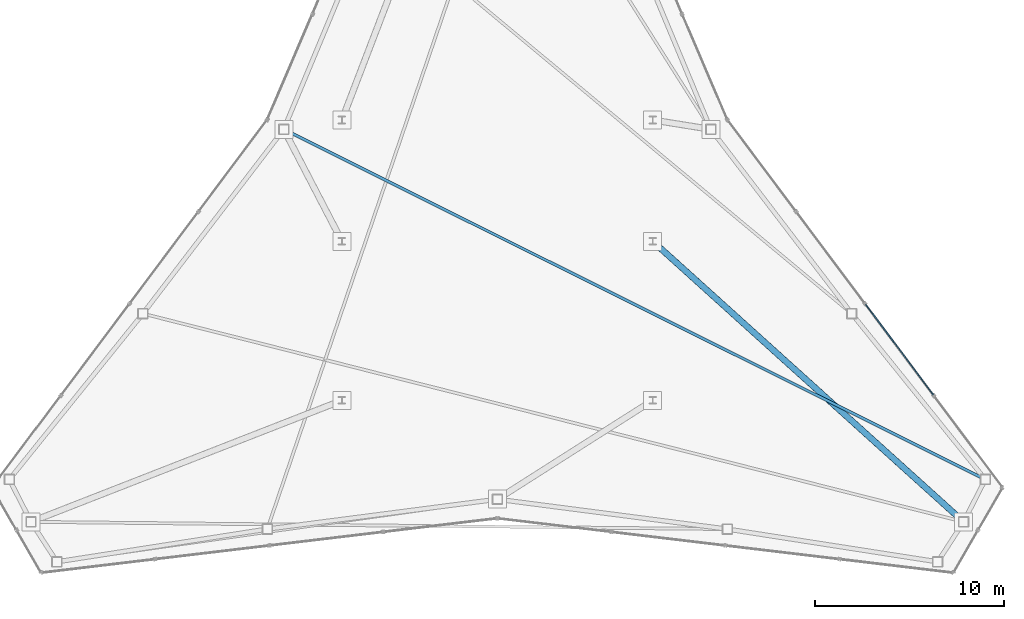
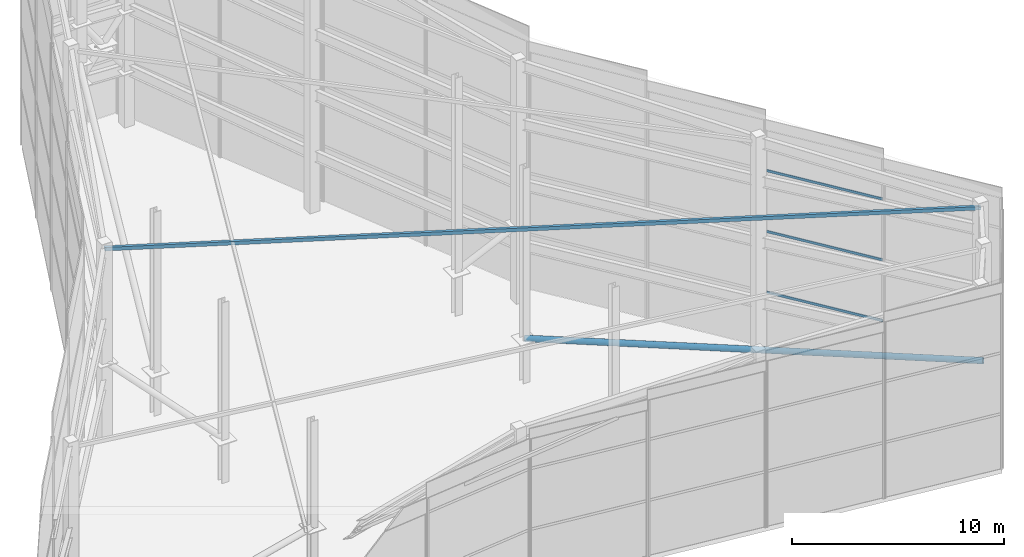
# One storey, part 10 of 17: 5 members, 1 element without a shape of its own.
"""IFC4 building model written with IfcOpenShell, lengths in metres."""

from ifc_helpers import new_model, si_unit, direction, frame, origin, origin_2d, place, context, subcontext, project, spatial, rectangle, hollow_rectangle, hollow_circle, extrude, source, transform, mapped, material, layer, layer_set, material_profile, profile_set, type_object, type_shapes, element, aggregate, save


model = new_model("IFC4")

# Units and contexts
model_context = context("Model", 3, precision=1e-05, world=origin(), true_north=direction((0.0, 1.0)))
body_context = subcontext(model_context, "Body", "Model", "MODEL_VIEW")
ifc_project = project(units=[si_unit("LENGTHUNIT", "METRE"), si_unit("AREAUNIT", "SQUARE_METRE"), si_unit("VOLUMEUNIT", "CUBIC_METRE"), si_unit("PLANEANGLEUNIT", "RADIAN"), si_unit("MASSUNIT", "GRAM", prefix="KILO")], contexts=[model_context])

# Site, building, storey
site_placement = place(None, origin())
site = spatial("IfcSite", under=ifc_project, at=site_placement, CompositionType="ELEMENT")
building_placement = place(site_placement, origin())
building = spatial("IfcBuilding", under=site, at=building_placement, Name="Varakhsha Concourse Tower", CompositionType="ELEMENT")
storey_placement = place(building_placement, frame((0.0, 0.0, 294.800048828125)))
storey = spatial("IfcBuildingStorey", under=building, at=storey_placement, Name="RF", CompositionType="ELEMENT", Elevation=294.800048828125)

# Members
ifc_material_1 = material(Name="Structural Steel ASTM A500 Grade C", Category="steel")
ifc_material_profile_1 = material_profile(ifc_material_1, hollow_circle(Radius=0.162109375, WallThickness=0.013916015625, at=origin_2d()), Name="CHS 324x14")
ifc_profile_set_1 = profile_set([ifc_material_profile_1], Name="Structural Steel ASTM A500 Grade C")
member_type_1 = type_object("IfcMemberType", Name="MB-CROWN-CHS324", PredefinedType="BRACE", material=ifc_profile_set_1)
shared_shape_1 = source(origin(), body_context, "Body", "SweptSolid", [
    extrude(hollow_circle(Radius=0.162109375, WallThickness=0.013916015625, at=origin_2d()), origin(), (0.0, 0.0, 1.0), 22.189453125),
])
type_shapes(member_type_1, [shared_shape_1])
member_1_placement = place(storey_placement, frame((48.199951171875, 24.800048828125, 2.449951171875), z_axis=(0.739529399536, -0.667363283376, 0.087877842623), x_axis=(0.669955166525, 0.742401559027, 0.0)))
element("IfcMember", 1, at=member_1_placement, inside=storey, type_object=member_type_1, Name="Crown Frame Radial Wind Brace CB03", PredefinedType="BRACE", context=body_context, shape_type="MappedRepresentation", body=[
    mapped(shared_shape_1, transform((0.0, 0.0, 0.0), scale=1.0)),
])
ifc_material_profile_2 = material_profile(ifc_material_1, hollow_rectangle(XDim=0.14990234375, YDim=0.199951171875, WallThickness=0.010009765625, at=origin_2d()), Name="HSS 200x150x10")
ifc_profile_set_2 = profile_set([ifc_material_profile_2], Name="Structural Steel ASTM A500 Grade C")
member_type_2 = type_object("IfcMemberType", Name="MB-CROWN-PURLIN", PredefinedType="PURLIN", material=ifc_profile_set_2)
shared_shape_2 = source(origin(), body_context, "Body", "SweptSolid", [
    extrude(hollow_rectangle(XDim=0.14990234375, YDim=0.199951171875, WallThickness=0.010009765625, at=origin_2d()), origin(), (0.0, 0.0, 1.0), 41.38427734375),
])
type_shapes(member_type_2, [shared_shape_2])
member_2_placement = place(storey_placement, frame((28.728759765625, 30.70751953125, 10.856689453125), z_axis=(0.894668318446, -0.446493499599, 0.014565534128), x_axis=(0.446540870002, 0.894763237632, 0.0)))
element("IfcMember", 2, at=member_2_placement, inside=storey, type_object=member_type_2, Name="Slanted Crown Roof Purlin PR04", PredefinedType="PURLIN", context=body_context, shape_type="MappedRepresentation", body=[
    mapped(shared_shape_2, transform((0.0, 0.0, 0.0), scale=1.0)),
])

# Curtain wall, members
ifc_material_2 = material(Name="Anodised Bronze Architectural Aluminium AA 6063-T6", Category="aluminium")
ifc_layer = layer(ifc_material_2, 0.219970703125, Name="CW-SYS-07")
ifc_layer_set = layer_set([ifc_layer], Name="Anodised Bronze Architectural Aluminium AA 6063-T6")
curtain_wall_type = type_object("IfcCurtainWallType", Name="CW-SYS-07", PredefinedType="NOTDEFINED", material=ifc_layer_set)
curtain_wall_placement = place(storey_placement, origin())
curtain_wall = element("IfcCurtainWall", 3, at=curtain_wall_placement, inside=storey, type_object=curtain_wall_type, Name="Slanted Crown Curtain Wall F8-S2", PredefinedType="NOTDEFINED")
ifc_material_profile_3 = material_profile(ifc_material_2, rectangle(XDim=0.06005859375, YDim=0.139892578125, at=origin_2d()), Name="CWT-140X60")
ifc_profile_set_3 = profile_set([ifc_material_profile_3], Name="Anodised Bronze Architectural Aluminium AA 6063-T6")
member_type_3 = type_object("IfcMemberType", Name="CWT-140X60", PredefinedType="USERDEFINED", material=ifc_profile_set_3)
shared_shape_3 = source(origin(), body_context, "Body", "SweptSolid", [
    extrude(rectangle(XDim=0.06005859375, YDim=0.139892578125, at=origin_2d()), origin(), (0.0, 0.0, 1.0), 5.960693359375),
])
type_shapes(member_type_3, [shared_shape_3])
member_3_placement = place(storey_placement, frame((59.439697265625, 21.468505859375, 3.199951171875), z_axis=(0.599088711153, -0.800682656343, 0.0), x_axis=(0.800682656343, 0.599088711153, 0.0)))
member_3 = element("IfcMember", 4, at=member_3_placement, type_object=member_type_3, Name="CW-RF-F8S2 Transom 01", ObjectType="TRANSOM", PredefinedType="USERDEFINED", context=body_context, shape_type="MappedRepresentation", body=[
    mapped(shared_shape_3, transform((0.0, 0.0, 0.0), scale=1.0)),
])
member_4_placement = place(storey_placement, frame((59.439697265625, 21.468505859375, 6.699951171875), z_axis=(0.599088711153, -0.800682656343, 0.0), x_axis=(0.800682656343, 0.599088711153, 0.0)))
member_4 = element("IfcMember", 5, at=member_4_placement, type_object=member_type_3, Name="CW-RF-F8S2 Transom 02", ObjectType="TRANSOM", PredefinedType="USERDEFINED", context=body_context, shape_type="MappedRepresentation", body=[
    mapped(shared_shape_3, transform((0.0, 0.0, 0.0), scale=1.0)),
])
member_5_placement = place(storey_placement, frame((59.439697265625, 21.468505859375, 10.199951171875), z_axis=(0.599088711153, -0.800682656343, 0.0), x_axis=(0.800682656343, 0.599088711153, 0.0)))
member_5 = element("IfcMember", 6, at=member_5_placement, type_object=member_type_3, Name="CW-RF-F8S2 Transom 03", ObjectType="TRANSOM", PredefinedType="USERDEFINED", context=body_context, shape_type="MappedRepresentation", body=[
    mapped(shared_shape_3, transform((0.0, 0.0, 0.0), scale=1.0)),
])
aggregate(curtain_wall, [member_3, member_4, member_5])

save(model, "model.ifc")
